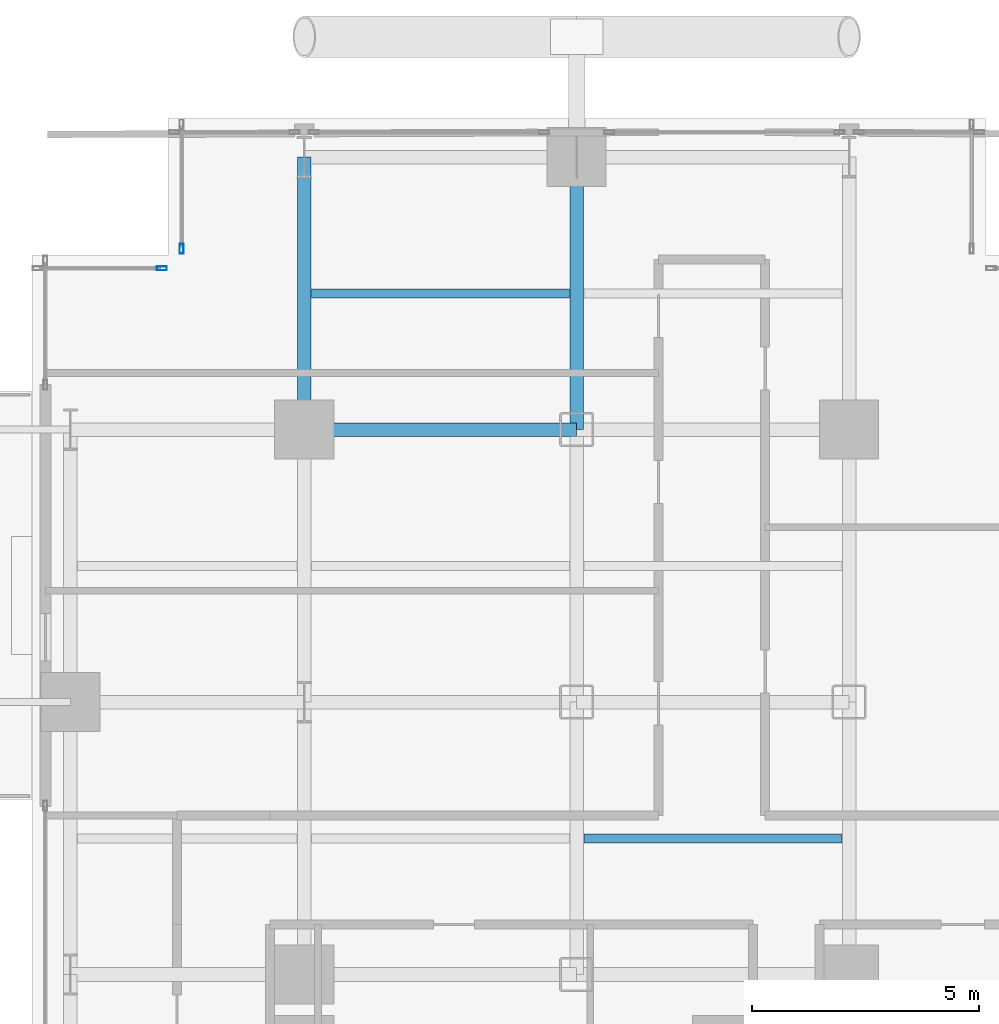
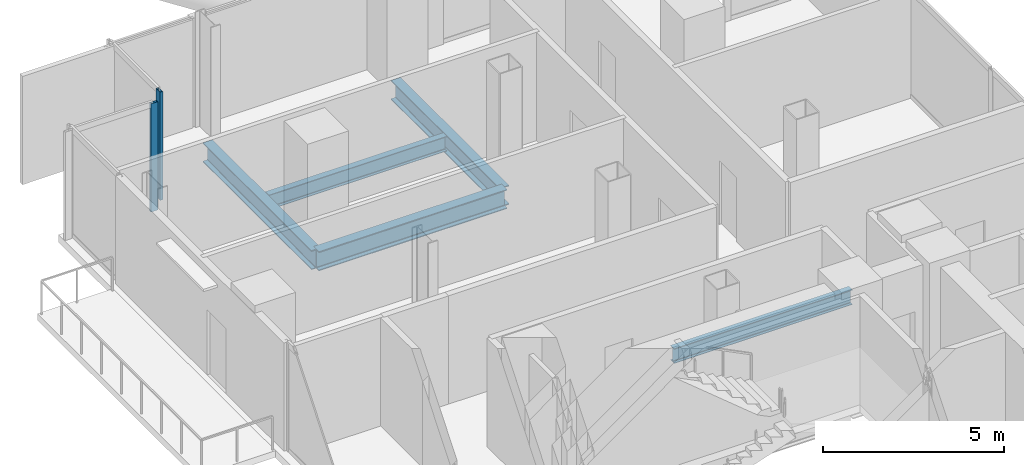
# One storey, part 14 of 27: 5 beams, 2 members, 2 elements without a shape of their own.
"""IFC4 building model written with IfcOpenShell, lengths in metres."""

from ifc_helpers import new_model, si_unit, direction, frame, origin, origin_2d, place, context, subcontext, project, spatial, hollow_rectangle, i_section, extrude, material, layer, layer_set, material_profile, profile_set, type_object, element, aggregate, save


model = new_model("IFC4")

# Units and contexts
model_context = context("Model", 3, precision=1e-05, world=origin(), true_north=direction((0.0, 1.0)))
body_context = subcontext(model_context, "Body", "Model", "MODEL_VIEW")
ifc_project = project(units=[si_unit("LENGTHUNIT", "METRE"), si_unit("AREAUNIT", "SQUARE_METRE"), si_unit("VOLUMEUNIT", "CUBIC_METRE"), si_unit("PLANEANGLEUNIT", "RADIAN"), si_unit("MASSUNIT", "GRAM", prefix="KILO"), si_unit("THERMODYNAMICTEMPERATUREUNIT", "KELVIN"), si_unit("POWERUNIT", "WATT")], contexts=[model_context])

# Site, building, storey
site_placement = place(None, origin())
site = spatial("IfcSite", under=ifc_project, at=site_placement, CompositionType="ELEMENT")
building_placement = place(site_placement, origin())
building = spatial("IfcBuilding", under=site, at=building_placement, Name="Svarakhadi Broadcast Tower", CompositionType="ELEMENT")
storey_placement = place(building_placement, frame((0.0, 0.0, 59.699951171875)))
storey = spatial("IfcBuildingStorey", under=building, at=storey_placement, Name="L13", CompositionType="ELEMENT", Elevation=59.699951171875)

# Beams
ifc_material_1 = material(Name="Steel S355J2 (IS 2062 E350C)", Category="steel")
ifc_material_profile_1 = material_profile(ifc_material_1, i_section(OverallWidth=0.199951171875, OverallDepth=0.5, WebThickness=0.01025390625, FlangeThickness=0.01611328125, FilletRadius=0.02099609375, at=origin_2d()), Name="NPB 500x200x91")
ifc_profile_set_1 = profile_set([ifc_material_profile_1], Name="Steel S355J2 (IS 2062 E350C)")
beam_type_1 = type_object("IfcBeamType", Name="Beam_NPB500", PredefinedType="BEAM", material=ifc_profile_set_1)
for number, where, z_axis, x_axis, name in (
    (1, (6.159912109375, 44.14990234375, -0.5), (1.0, 0.0, 0.0), (0.0, 1.0, 0.0), "L13 Secondary Composite Beam SB012"),
    (2, (12.159912109375, 32.14990234375, -0.5), (1.0, 0.0, 0.0), (0.0, 1.0, 0.0), "L13 Secondary Composite Beam SB016"),
):
    element("IfcBeam", number, at=place(storey_placement, frame(where, z_axis=z_axis, x_axis=x_axis)), inside=storey, type_object=beam_type_1, Name=name, PredefinedType="BEAM", context=body_context, shape_type="SweptSolid", body=[
        extrude(i_section(OverallWidth=0.199951171875, OverallDepth=0.5, WebThickness=0.01025390625, FlangeThickness=0.01611328125, FilletRadius=0.02099609375, at=origin_2d()), origin(), (0.0, 0.0, 1.0), 5.68017578125),
    ])

# Curtain wall, member
ifc_material_2 = material(Name="Anodised Bronze Aluminium AA 6063-T6", Category="aluminium")
ifc_layer = layer(ifc_material_2, 0.219970703125)
ifc_layer_set = layer_set([ifc_layer], Name="Anodised Bronze Aluminium AA 6063-T6")
curtain_wall_type = type_object("IfcCurtainWallType", Name="CW_Sys_02", PredefinedType="NOTDEFINED", material=ifc_layer_set)
curtain_wall_1_placement = place(storey_placement, origin())
curtain_wall_1 = element("IfcCurtainWall", 3, at=curtain_wall_1_placement, inside=storey, type_object=curtain_wall_type, Name="L13 Unitised Facade Curtain Wall 04", PredefinedType="NOTDEFINED")
ifc_material_profile_2 = material_profile(ifc_material_2, hollow_rectangle(XDim=0.0849609375, YDim=0.219970703125, WallThickness=0.006103515625, at=origin_2d()), Name="ALU MULLION 220x85x6")
ifc_profile_set_2 = profile_set([ifc_material_profile_2], Name="Anodised Bronze Aluminium AA 6063-T6")
member_type = type_object("IfcMemberType", Name="CW_Sys_02_Mul", PredefinedType="MULLION", material=ifc_profile_set_2)
member_1_placement = place(storey_placement, frame((2.867431640625, 44.699951171875, 0.0), z_axis=(0.0, 0.0, 1.0), x_axis=(0.0, 1.0, 0.0)))
member_1 = element("IfcMember", 4, at=member_1_placement, type_object=member_type, Name="CW-02 mullion 2", PredefinedType="MULLION", context=body_context, shape_type="SweptSolid", body=[
    extrude(hollow_rectangle(XDim=0.0849609375, YDim=0.219970703125, WallThickness=0.006103515625, at=origin_2d()), origin(), (0.0, 0.0, 1.0), 3.650146484375),
])
aggregate(curtain_wall_1, [member_1])

curtain_wall_2_placement = place(storey_placement, origin())
curtain_wall_2 = element("IfcCurtainWall", 5, at=curtain_wall_2_placement, inside=storey, type_object=curtain_wall_type, Name="L13 Unitised Facade Curtain Wall 05", PredefinedType="NOTDEFINED")
member_2_placement = place(storey_placement, frame((3.300048828125, 45.132568359375, 0.0), z_axis=(0.0, 0.0, 1.0), x_axis=(-1.0, 0.0, 0.0)))
member_2 = element("IfcMember", 6, at=member_2_placement, type_object=member_type, Name="CW-02 mullion 1", PredefinedType="MULLION", context=body_context, shape_type="SweptSolid", body=[
    extrude(hollow_rectangle(XDim=0.0849609375, YDim=0.219970703125, WallThickness=0.006103515625, at=origin_2d()), origin(), (0.0, 0.0, 1.0), 3.650146484375),
])
aggregate(curtain_wall_2, [member_2])

# Beams
ifc_material_profile_3 = material_profile(ifc_material_1, i_section(OverallWidth=0.300048828125, OverallDepth=0.64990234375, WebThickness=0.01611328125, FlangeThickness=0.031005859375, FilletRadius=0.027099609375, at=origin_2d()), Name="WPB 650x300x225")
ifc_profile_set_3 = profile_set([ifc_material_profile_3], Name="Steel S355J2 (IS 2062 E350C)")
beam_type_2 = type_object("IfcBeamType", Name="Girder_WPB650", PredefinedType="USERDEFINED", material=ifc_profile_set_3)
for number, where, z_axis, x_axis, name in (
    (7, (6.0, 41.14990234375, -0.574951171875), (1.0, 0.0, 0.0), (0.0, 1.0, 0.0), "L13 Primary E-W Girder G041"),
    (8, (6.0, 41.14990234375, -0.574951171875), (0.0, 1.0, 0.0), (-1.0, 0.0, 0.0), "L13 Primary N-S Girder G057"),
    (9, (12.0, 41.14990234375, -0.574951171875), (0.0, 1.0, 0.0), (-1.0, 0.0, 0.0), "L13 Primary N-S Girder G063"),
):
    element("IfcBeam", number, at=place(storey_placement, frame(where, z_axis=z_axis, x_axis=x_axis)), inside=storey, type_object=beam_type_2, Name=name, ObjectType="GIRDER", PredefinedType="USERDEFINED", context=body_context, shape_type="SweptSolid", body=[
        extrude(i_section(OverallWidth=0.300048828125, OverallDepth=0.64990234375, WebThickness=0.01611328125, FlangeThickness=0.031005859375, FilletRadius=0.027099609375, at=origin_2d()), origin(), (0.0, 0.0, 1.0), 6.0),
    ])

save(model, "model.ifc")
